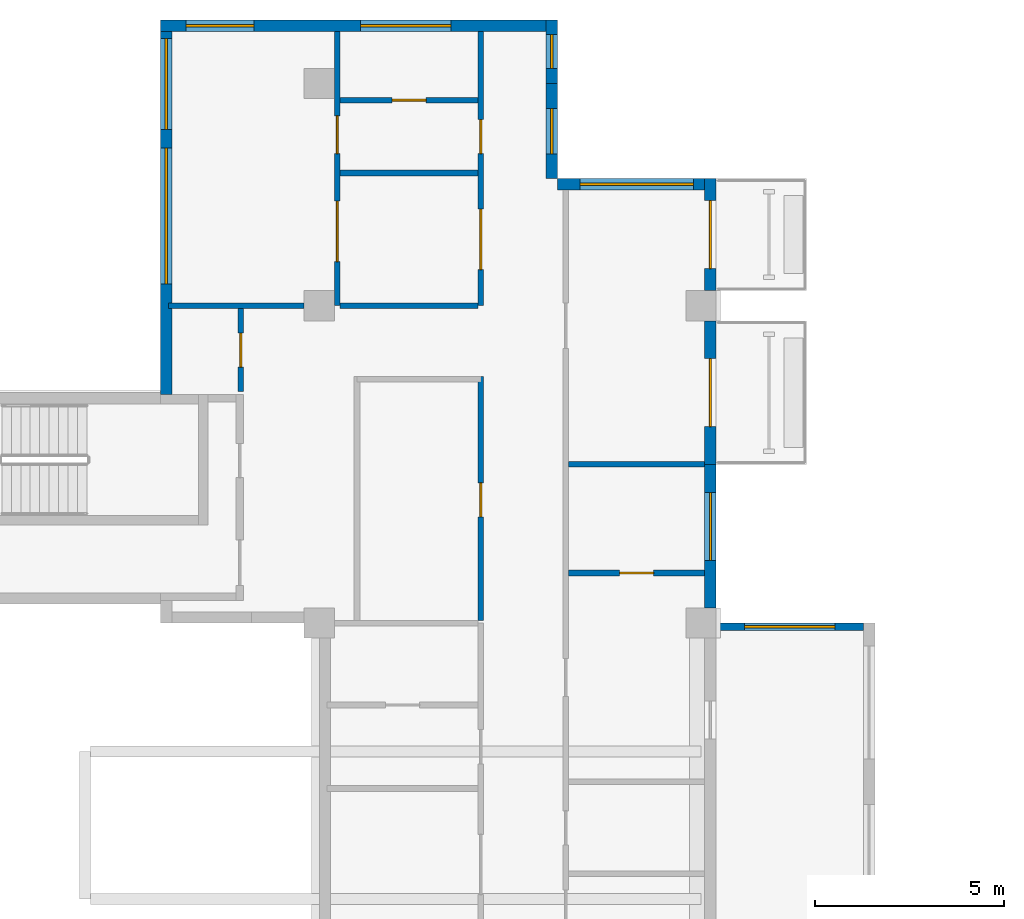
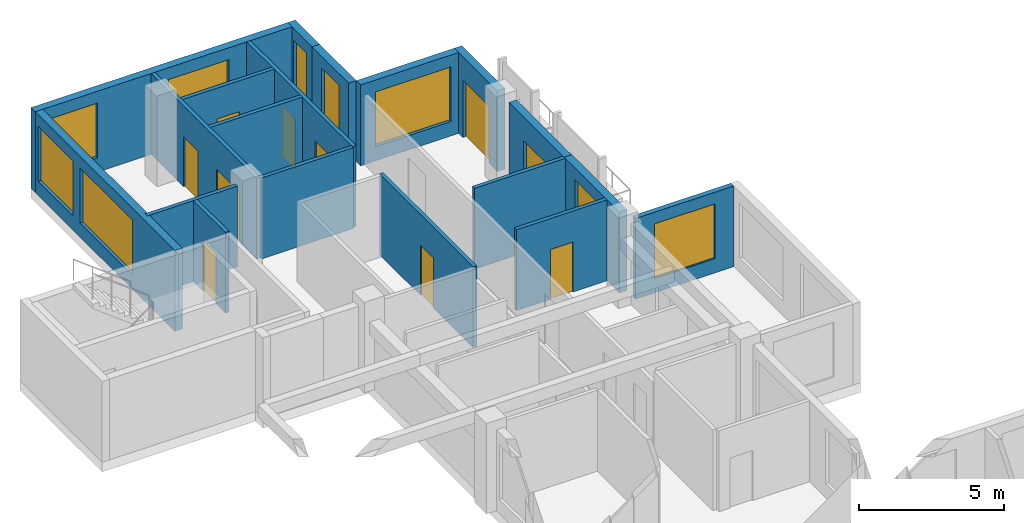
# One storey, part 7 of 12: 19 walls, 10 doors, 9 windows, 19 openings.
"""IFC4 building model written with IfcOpenShell, lengths in metres."""

from ifc_helpers import new_model, si_unit, direction, frame, frame_2d, origin, place, context, subcontext, project, spatial, rectangle, extrude, source, transform, mapped, material, layer, layer_set, type_object, element, fill, save


model = new_model("IFC4")

# Units and contexts
model_context = context("Model", 3, precision=1e-05, world=origin(), true_north=direction((0.0, 1.0)))
body_context = subcontext(model_context, "Body", "Model", "MODEL_VIEW")
ifc_project = project(units=[si_unit("LENGTHUNIT", "METRE"), si_unit("AREAUNIT", "SQUARE_METRE"), si_unit("VOLUMEUNIT", "CUBIC_METRE"), si_unit("PLANEANGLEUNIT", "RADIAN"), si_unit("MASSUNIT", "GRAM", prefix="KILO")], contexts=[model_context])

# Site, building, storey
site_placement = place(None, origin())
site = spatial("IfcSite", under=ifc_project, at=site_placement, CompositionType="ELEMENT")
building_placement = place(site_placement, origin())
building = spatial("IfcBuilding", under=site, at=building_placement, Name="Aurelian Terraces", CompositionType="ELEMENT")
storey_placement = place(building_placement, frame((0.0, 0.0, 238.6)))
storey = spatial("IfcBuildingStorey", under=building, at=storey_placement, Name="L54", CompositionType="ELEMENT", Elevation=238.6)

# Wall, opening, window
ifc_material_1 = material(Name="Terracotta rainscreen cladding", Category="masonry")
ifc_layer_1 = layer(ifc_material_1, 0.3)
ifc_layer_set_1 = layer_set([ifc_layer_1], Name="EW-300")
wall_type_1 = type_object("IfcWallType", Name="EW-300", PredefinedType="STANDARD", material=ifc_layer_set_1)
wall_1_placement = place(storey_placement, frame((20.85, 38.2, 0.0), z_axis=(0.0, 0.0, 1.0), x_axis=(0.0, 1.0, 0.0)))
wall_1 = element("IfcWall", 1, at=wall_1_placement, inside=storey, type_object=wall_type_1, Name="External wall L54 F08.20", PredefinedType="STANDARD", context=body_context, shape_type="SweptSolid", body=[
    extrude(rectangle(XDim=3.8, YDim=0.3, at=frame_2d((1.9, 0.0))), origin(), (0.0, 0.0, 1.0), 3.4),
])
shared_shape_1 = source(origin(), body_context, "Body", "SweptSolid", [
    extrude(rectangle(XDim=1.8, YDim=2.3, at=frame_2d((0.9, 1.15))), frame((0.0, 0.16, 0.0), z_axis=(0.0, -1.0, 0.0), x_axis=(1.0, 0.0, 0.0)), (0.0, 0.0, 1.0), 0.32),
])
opening_1_placement = place(wall_1_placement, frame((1.25, 0.0, 0.6)))
opening_1 = element("IfcOpeningElement", 2, at=opening_1_placement, cuts=wall_1, Name="Opening W1823", PredefinedType="OPENING", context=body_context, shape_type="MappedRepresentation", body=[
    mapped(shared_shape_1, transform((0.0, 0.0, 0.0), scale=1.0)),
])
ifc_material_2 = material(Name="Clear glazing", Category="glass")
window_type_1 = type_object("IfcWindowType", Name="W-1800x2300", PartitioningType="SINGLE_PANEL", PredefinedType="WINDOW", material=ifc_material_2)
shared_shape_2 = source(origin(), body_context, "Body", "SweptSolid", [
    extrude(rectangle(XDim=1.8, YDim=2.3, at=frame_2d((0.9, 1.15))), frame((0.0, 0.03, 0.0), z_axis=(0.0, -1.0, 0.0), x_axis=(1.0, 0.0, 0.0)), (0.0, 0.0, 1.0), 0.06),
])
window_1_placement = place(opening_1_placement, origin())
window_1 = element("IfcWindow", 3, at=window_1_placement, inside=storey, type_object=window_type_1, Name="Window L54 L54-F08-20-0", OverallHeight=2.3, OverallWidth=1.8, PartitioningType="SINGLE_PANEL", PredefinedType="WINDOW", context=body_context, shape_type="MappedRepresentation", body=[
    mapped(shared_shape_2, transform((0.0, 0.0, 0.0), scale=1.0)),
])
fill(opening_1, window_1)

shared_shape_3 = source(origin(), body_context, "Body", "SweptSolid", [
    extrude(rectangle(XDim=4.2, YDim=0.3, at=frame_2d((2.1, 0.0))), origin(), (0.0, 0.0, 1.0), 3.4),
])
wall_2_placement = place(storey_placement, frame((21.0, 49.41, 0.0), z_axis=(0.0, 0.0, 1.0), x_axis=(-1.0, 0.0, 0.0)))
wall_2 = element("IfcWall", 4, at=wall_2_placement, inside=storey, type_object=wall_type_1, Name="External wall L54 F09.23", PredefinedType="STANDARD", context=body_context, shape_type="MappedRepresentation", body=[
    mapped(shared_shape_3, transform((0.0, 0.0, 0.0), scale=1.0)),
])
shared_shape_4 = source(origin(), body_context, "Body", "SweptSolid", [
    extrude(rectangle(XDim=3.0, YDim=2.3, at=frame_2d((1.5, 1.15))), frame((0.0, 0.16, 0.0), z_axis=(0.0, -1.0, 0.0), x_axis=(1.0, 0.0, 0.0)), (0.0, 0.0, 1.0), 0.32),
])
opening_2_placement = place(wall_2_placement, frame((0.6, 0.0, 0.6)))
opening_2 = element("IfcOpeningElement", 5, at=opening_2_placement, cuts=wall_2, Name="Opening W3023", PredefinedType="OPENING", context=body_context, shape_type="MappedRepresentation", body=[
    mapped(shared_shape_4, transform((0.0, 0.0, 0.0), scale=1.0)),
])
window_type_2 = type_object("IfcWindowType", Name="W-3000x2300", PartitioningType="SINGLE_PANEL", PredefinedType="WINDOW", material=ifc_material_2)
shared_shape_5 = source(origin(), body_context, "Body", "SweptSolid", [
    extrude(rectangle(XDim=3.0, YDim=2.3, at=frame_2d((1.5, 1.15))), frame((0.0, 0.03, 0.0), z_axis=(0.0, -1.0, 0.0), x_axis=(1.0, 0.0, 0.0)), (0.0, 0.0, 1.0), 0.06),
])
window_2_placement = place(opening_2_placement, origin())
window_2 = element("IfcWindow", 6, at=window_2_placement, inside=storey, type_object=window_type_2, Name="Window L54 L54-F09-23-0", OverallHeight=2.3, OverallWidth=3.0, PartitioningType="SINGLE_PANEL", PredefinedType="WINDOW", context=body_context, shape_type="MappedRepresentation", body=[
    mapped(shared_shape_5, transform((0.0, 0.0, 0.0), scale=1.0)),
])
fill(opening_2, window_2)

shared_shape_6 = source(origin(), body_context, "Body", "SweptSolid", [
    extrude(rectangle(XDim=2.52, YDim=0.3, at=frame_2d((1.26, 0.0))), origin(), (0.0, 0.0, 1.0), 3.4),
])
wall_3_placement = place(storey_placement, frame((16.65, 49.56, 0.0), z_axis=(0.0, 0.0, 1.0), x_axis=(0.0, 1.0, 0.0)))
wall_3 = element("IfcWall", 7, at=wall_3_placement, inside=storey, type_object=wall_type_1, Name="External wall L54 F10.24", PredefinedType="STANDARD", context=body_context, shape_type="MappedRepresentation", body=[
    mapped(shared_shape_6, transform((0.0, 0.0, 0.0), scale=1.0)),
])
shared_shape_7 = source(origin(), body_context, "Body", "SweptSolid", [
    extrude(rectangle(XDim=1.2, YDim=2.3, at=frame_2d((0.6, 1.15))), frame((0.0, 0.16, 0.0), z_axis=(0.0, -1.0, 0.0), x_axis=(1.0, 0.0, 0.0)), (0.0, 0.0, 1.0), 0.32),
])
opening_3_placement = place(wall_3_placement, frame((0.66, 0.0, 0.6)))
opening_3 = element("IfcOpeningElement", 8, at=opening_3_placement, cuts=wall_3, Name="Opening W1223", PredefinedType="OPENING", context=body_context, shape_type="MappedRepresentation", body=[
    mapped(shared_shape_7, transform((0.0, 0.0, 0.0), scale=1.0)),
])
window_type_3 = type_object("IfcWindowType", Name="W-1200x2300", PartitioningType="SINGLE_PANEL", PredefinedType="WINDOW", material=ifc_material_2)
shared_shape_8 = source(origin(), body_context, "Body", "SweptSolid", [
    extrude(rectangle(XDim=1.2, YDim=2.3, at=frame_2d((0.6, 1.15))), frame((0.0, 0.03, 0.0), z_axis=(0.0, -1.0, 0.0), x_axis=(1.0, 0.0, 0.0)), (0.0, 0.0, 1.0), 0.06),
])
window_3_placement = place(opening_3_placement, origin())
window_3 = element("IfcWindow", 9, at=window_3_placement, inside=storey, type_object=window_type_3, Name="Window L54 L54-F10-24-0", OverallHeight=2.3, OverallWidth=1.2, PartitioningType="SINGLE_PANEL", PredefinedType="WINDOW", context=body_context, shape_type="MappedRepresentation", body=[
    mapped(shared_shape_8, transform((0.0, 0.0, 0.0), scale=1.0)),
])
fill(opening_3, window_3)

shared_shape_9 = source(origin(), body_context, "Body", "SweptSolid", [
    extrude(rectangle(XDim=1.68, YDim=0.3, at=frame_2d((0.84, 0.0))), origin(), (0.0, 0.0, 1.0), 3.4),
])
wall_4_placement = place(storey_placement, frame((16.65, 52.08, 0.0), z_axis=(0.0, 0.0, 1.0), x_axis=(0.0, 1.0, 0.0)))
wall_4 = element("IfcWall", 10, at=wall_4_placement, inside=storey, type_object=wall_type_1, Name="External wall L54 F10.25", PredefinedType="STANDARD", context=body_context, shape_type="MappedRepresentation", body=[
    mapped(shared_shape_9, transform((0.0, 0.0, 0.0), scale=1.0)),
])
shared_shape_10 = source(origin(), body_context, "Body", "SweptSolid", [
    extrude(rectangle(XDim=0.9, YDim=2.3, at=frame_2d((0.45, 1.15))), frame((0.0, 0.16, 0.0), z_axis=(0.0, -1.0, 0.0), x_axis=(1.0, 0.0, 0.0)), (0.0, 0.0, 1.0), 0.32),
])
opening_4_placement = place(wall_4_placement, frame((0.39, 0.0, 0.6)))
opening_4 = element("IfcOpeningElement", 11, at=opening_4_placement, cuts=wall_4, Name="Opening W0923", PredefinedType="OPENING", context=body_context, shape_type="MappedRepresentation", body=[
    mapped(shared_shape_10, transform((0.0, 0.0, 0.0), scale=1.0)),
])
window_type_4 = type_object("IfcWindowType", Name="W-900x2300", PartitioningType="SINGLE_PANEL", PredefinedType="WINDOW", material=ifc_material_2)
shared_shape_11 = source(origin(), body_context, "Body", "SweptSolid", [
    extrude(rectangle(XDim=0.9, YDim=2.3, at=frame_2d((0.45, 1.15))), frame((0.0, 0.03, 0.0), z_axis=(0.0, -1.0, 0.0), x_axis=(1.0, 0.0, 0.0)), (0.0, 0.0, 1.0), 0.06),
])
window_4_placement = place(opening_4_placement, origin())
window_4 = element("IfcWindow", 12, at=window_4_placement, inside=storey, type_object=window_type_4, Name="Window L54 L54-F10-25-P0", OverallHeight=2.3, OverallWidth=0.9, PartitioningType="SINGLE_PANEL", PredefinedType="WINDOW", context=body_context, shape_type="MappedRepresentation", body=[
    mapped(shared_shape_11, transform((0.0, 0.0, 0.0), scale=1.0)),
])
fill(opening_4, window_4)

ifc_material_3 = material(Name="Concrete fc' 40 MPa", Category="concrete")
ifc_layer_2 = layer(ifc_material_3, 0.2)
ifc_layer_set_2 = layer_set([ifc_layer_2], Name="BOX BEARING WALL 200")
wall_type_2 = type_object("IfcWallType", Name="BOX BEARING WALL 200", PredefinedType="SOLIDWALL", material=ifc_layer_set_2)
shared_shape_12 = source(origin(), body_context, "Body", "SweptSolid", [
    extrude(rectangle(XDim=3.9, YDim=0.2, at=frame_2d((1.95, 0.0))), origin(), (0.0, 0.0, 1.0), 3.39),
])
wall_5_placement = place(storey_placement, frame((21.0, 37.7, 0.0), z_axis=(0.0, 0.0, 1.0), x_axis=(1.0, 0.0, 0.0)))
wall_5 = element("IfcWall", 13, at=wall_5_placement, inside=storey, type_object=wall_type_2, Name="Box return L54 J78.2", PredefinedType="SOLIDWALL", context=body_context, shape_type="MappedRepresentation", body=[
    mapped(shared_shape_12, transform((0.0, 0.0, 0.0), scale=1.0)),
])
shared_shape_13 = source(origin(), body_context, "Body", "SweptSolid", [
    extrude(rectangle(XDim=2.4, YDim=2.3, at=frame_2d((1.2, 1.15))), frame((0.0, 0.11, 0.0), z_axis=(0.0, -1.0, 0.0), x_axis=(1.0, 0.0, 0.0)), (0.0, 0.0, 1.0), 0.22),
])
opening_5_placement = place(wall_5_placement, frame((0.75, 0.0, 0.6)))
opening_5 = element("IfcOpeningElement", 14, at=opening_5_placement, cuts=wall_5, Name="Opening W2423", PredefinedType="OPENING", context=body_context, shape_type="MappedRepresentation", body=[
    mapped(shared_shape_13, transform((0.0, 0.0, 0.0), scale=1.0)),
])
window_type_5 = type_object("IfcWindowType", Name="W-2400x2300", PartitioningType="SINGLE_PANEL", PredefinedType="WINDOW", material=ifc_material_2)
shared_shape_14 = source(origin(), body_context, "Body", "SweptSolid", [
    extrude(rectangle(XDim=2.4, YDim=2.3, at=frame_2d((1.2, 1.15))), frame((0.0, 0.03, 0.0), z_axis=(0.0, -1.0, 0.0), x_axis=(1.0, 0.0, 0.0)), (0.0, 0.0, 1.0), 0.06),
])
window_5_placement = place(opening_5_placement, origin())
window_5 = element("IfcWindow", 15, at=window_5_placement, inside=storey, type_object=window_type_5, Name="Window L54 J78-S2", OverallHeight=2.3, OverallWidth=2.4, PartitioningType="SINGLE_PANEL", PredefinedType="WINDOW", context=body_context, shape_type="MappedRepresentation", body=[
    mapped(shared_shape_14, transform((0.0, 0.0, 0.0), scale=1.0)),
])
fill(opening_5, window_5)

# Wall, openings, windows
shared_shape_15 = source(origin(), body_context, "Body", "SweptSolid", [
    extrude(rectangle(XDim=10.5, YDim=0.3, at=frame_2d((5.25, 0.0))), origin(), (0.0, 0.0, 1.0), 3.4),
])
wall_6_placement = place(storey_placement, frame((16.8, 53.61, 0.0), z_axis=(0.0, 0.0, 1.0), x_axis=(-1.0, 0.0, 0.0)))
wall_6 = element("IfcWall", 16, at=wall_6_placement, inside=storey, type_object=wall_type_1, Name="External wall L54 F11.26", PredefinedType="STANDARD", context=body_context, shape_type="MappedRepresentation", body=[
    mapped(shared_shape_15, transform((0.0, 0.0, 0.0), scale=1.0)),
])
opening_6_placement = place(wall_6_placement, frame((8.025, 0.0, 0.6)))
opening_6 = element("IfcOpeningElement", 17, at=opening_6_placement, cuts=wall_6, Name="Opening W1823", PredefinedType="OPENING", context=body_context, shape_type="MappedRepresentation", body=[
    mapped(shared_shape_1, transform((0.0, 0.0, 0.0), scale=1.0)),
])
shared_shape_16 = source(origin(), body_context, "Body", "SweptSolid", [
    extrude(rectangle(XDim=2.4, YDim=2.3, at=frame_2d((1.2, 1.15))), frame((0.0, 0.16, 0.0), z_axis=(0.0, -1.0, 0.0), x_axis=(1.0, 0.0, 0.0)), (0.0, 0.0, 1.0), 0.32),
])
opening_7_placement = place(wall_6_placement, frame((2.8125, 0.0, 0.6)))
opening_7 = element("IfcOpeningElement", 18, at=opening_7_placement, cuts=wall_6, Name="Opening W2423", PredefinedType="OPENING", context=body_context, shape_type="MappedRepresentation", body=[
    mapped(shared_shape_16, transform((0.0, 0.0, 0.0), scale=1.0)),
])
window_6_placement = place(opening_6_placement, origin())
window_6 = element("IfcWindow", 19, at=window_6_placement, inside=storey, type_object=window_type_1, Name="Window L54 L54-F11-26-2", OverallHeight=2.3, OverallWidth=1.8, PartitioningType="SINGLE_PANEL", PredefinedType="WINDOW", context=body_context, shape_type="MappedRepresentation", body=[
    mapped(shared_shape_2, transform((0.0, 0.0, 0.0), scale=1.0)),
])
fill(opening_6, window_6)
window_7_placement = place(opening_7_placement, origin())
window_7 = element("IfcWindow", 20, at=window_7_placement, inside=storey, type_object=window_type_5, Name="Window L54 L54-F11-26-G0-0", OverallHeight=2.3, OverallWidth=2.4, PartitioningType="SINGLE_PANEL", PredefinedType="WINDOW", context=body_context, shape_type="MappedRepresentation", body=[
    mapped(shared_shape_14, transform((0.0, 0.0, 0.0), scale=1.0)),
])
fill(opening_7, window_7)

shared_shape_17 = source(origin(), body_context, "Body", "SweptSolid", [
    extrude(rectangle(XDim=9.91, YDim=0.3, at=frame_2d((4.955, 0.0))), origin(), (0.0, 0.0, 1.0), 3.4),
])
wall_7_placement = place(storey_placement, frame((6.45, 53.76, 0.0), z_axis=(0.0, 0.0, 1.0), x_axis=(0.0, -1.0, 0.0)))
wall_7 = element("IfcWall", 21, at=wall_7_placement, inside=storey, type_object=wall_type_1, Name="External wall L54 F12.27", PredefinedType="STANDARD", context=body_context, shape_type="MappedRepresentation", body=[
    mapped(shared_shape_17, transform((0.0, 0.0, 0.0), scale=1.0)),
])
shared_shape_18 = source(origin(), body_context, "Body", "SweptSolid", [
    extrude(rectangle(XDim=3.6, YDim=2.3, at=frame_2d((1.8, 1.15))), frame((0.0, 0.16, 0.0), z_axis=(0.0, -1.0, 0.0), x_axis=(1.0, 0.0, 0.0)), (0.0, 0.0, 1.0), 0.32),
])
opening_8_placement = place(wall_7_placement, frame((3.39, 0.0, 0.6)))
opening_8 = element("IfcOpeningElement", 22, at=opening_8_placement, cuts=wall_7, Name="Opening W3623", PredefinedType="OPENING", context=body_context, shape_type="MappedRepresentation", body=[
    mapped(shared_shape_18, transform((0.0, 0.0, 0.0), scale=1.0)),
])
opening_9_placement = place(wall_7_placement, frame((0.495, 0.0, 0.6)))
opening_9 = element("IfcOpeningElement", 23, at=opening_9_placement, cuts=wall_7, Name="Opening W2423", PredefinedType="OPENING", context=body_context, shape_type="MappedRepresentation", body=[
    mapped(shared_shape_16, transform((0.0, 0.0, 0.0), scale=1.0)),
])
window_type_6 = type_object("IfcWindowType", Name="W-3600x2300", PartitioningType="SINGLE_PANEL", PredefinedType="WINDOW", material=ifc_material_2)
shared_shape_19 = source(origin(), body_context, "Body", "SweptSolid", [
    extrude(rectangle(XDim=3.6, YDim=2.3, at=frame_2d((1.8, 1.15))), frame((0.0, 0.03, 0.0), z_axis=(0.0, -1.0, 0.0), x_axis=(1.0, 0.0, 0.0)), (0.0, 0.0, 1.0), 0.06),
])
window_8_placement = place(opening_8_placement, origin())
window_8 = element("IfcWindow", 24, at=window_8_placement, inside=storey, type_object=window_type_6, Name="Window L54 L54-F12-27-1", OverallHeight=2.3, OverallWidth=3.6, PartitioningType="SINGLE_PANEL", PredefinedType="WINDOW", context=body_context, shape_type="MappedRepresentation", body=[
    mapped(shared_shape_19, transform((0.0, 0.0, 0.0), scale=1.0)),
])
fill(opening_8, window_8)
window_9_placement = place(opening_9_placement, origin())
window_9 = element("IfcWindow", 25, at=window_9_placement, inside=storey, type_object=window_type_5, Name="Window L54 L54-F12-27-G0-0", OverallHeight=2.3, OverallWidth=2.4, PartitioningType="SINGLE_PANEL", PredefinedType="WINDOW", context=body_context, shape_type="MappedRepresentation", body=[
    mapped(shared_shape_14, transform((0.0, 0.0, 0.0), scale=1.0)),
])
fill(opening_9, window_9)

# Wall, opening, door
shared_shape_20 = source(origin(), body_context, "Body", "SweptSolid", [
    extrude(rectangle(XDim=2.96, YDim=0.3, at=frame_2d((1.48, 0.0))), origin(), (0.0, 0.0, 1.0), 3.4),
])
wall_8_placement = place(storey_placement, frame((20.85, 46.6, 0.0), z_axis=(0.0, 0.0, 1.0), x_axis=(0.0, 1.0, 0.0)))
wall_8 = element("IfcWall", 26, at=wall_8_placement, inside=storey, type_object=wall_type_1, Name="External wall L54 F08.22", PredefinedType="STANDARD", context=body_context, shape_type="MappedRepresentation", body=[
    mapped(shared_shape_20, transform((0.0, 0.0, 0.0), scale=1.0)),
])
shared_shape_21 = source(origin(), body_context, "Body", "SweptSolid", [
    extrude(rectangle(XDim=1.8, YDim=2.4, at=frame_2d((0.9, 1.2))), frame((0.0, 0.16, 0.0), z_axis=(0.0, -1.0, 0.0), x_axis=(1.0, 0.0, 0.0)), (0.0, 0.0, 1.0), 0.32),
])
opening_10_placement = place(wall_8_placement, frame((0.58, 0.0, 0.0)))
opening_10 = element("IfcOpeningElement", 27, at=opening_10_placement, cuts=wall_8, Name="Opening 85404", PredefinedType="OPENING", context=body_context, shape_type="MappedRepresentation", body=[
    mapped(shared_shape_21, transform((0.0, 0.0, 0.0), scale=1.0)),
])
door_type_1 = type_object("IfcDoorType", Name="BD-1800x2400", OperationType="SLIDING_TO_LEFT", PredefinedType="DOOR", material=ifc_material_2)
shared_shape_22 = source(origin(), body_context, "Body", "SweptSolid", [
    extrude(rectangle(XDim=1.8, YDim=2.4, at=frame_2d((0.9, 1.2))), frame((0.0, 0.025, 0.0), z_axis=(0.0, -1.0, 0.0), x_axis=(1.0, 0.0, 0.0)), (0.0, 0.0, 1.0), 0.05),
])
door_1_placement = place(opening_10_placement, origin())
door_1 = element("IfcDoor", 28, at=door_1_placement, inside=storey, type_object=door_type_1, Name="Balcony door L54 F08.22", OperationType="SLIDING_TO_LEFT", OverallHeight=2.4, OverallWidth=1.8, PredefinedType="DOOR", context=body_context, shape_type="MappedRepresentation", body=[
    mapped(shared_shape_22, transform((0.0, 0.0, 0.0), scale=1.0)),
])
fill(opening_10, door_1)

shared_shape_23 = source(origin(), body_context, "Body", "SweptSolid", [
    extrude(rectangle(XDim=3.8, YDim=0.3, at=frame_2d((1.9, 0.0))), origin(), (0.0, 0.0, 1.0), 3.4),
])
wall_9_placement = place(storey_placement, frame((20.85, 42.0, 0.0), z_axis=(0.0, 0.0, 1.0), x_axis=(0.0, 1.0, 0.0)))
wall_9 = element("IfcWall", 29, at=wall_9_placement, inside=storey, type_object=wall_type_1, Name="External wall L54 F08.21", PredefinedType="STANDARD", context=body_context, shape_type="MappedRepresentation", body=[
    mapped(shared_shape_23, transform((0.0, 0.0, 0.0), scale=1.0)),
])
opening_11_placement = place(wall_9_placement, frame((1.0, 0.0, 0.0)))
opening_11 = element("IfcOpeningElement", 30, at=opening_11_placement, cuts=wall_9, Name="Opening 85403", PredefinedType="OPENING", context=body_context, shape_type="MappedRepresentation", body=[
    mapped(shared_shape_21, transform((0.0, 0.0, 0.0), scale=1.0)),
])
door_2_placement = place(opening_11_placement, origin())
door_2 = element("IfcDoor", 31, at=door_2_placement, inside=storey, type_object=door_type_1, Name="Balcony door L54 F08.21", OperationType="SLIDING_TO_LEFT", OverallHeight=2.4, OverallWidth=1.8, PredefinedType="DOOR", context=body_context, shape_type="MappedRepresentation", body=[
    mapped(shared_shape_22, transform((0.0, 0.0, 0.0), scale=1.0)),
])
fill(opening_11, door_2)

ifc_material_4 = material(Name="Gypsum board on steel studs", Category="steel")
ifc_layer_3 = layer(ifc_material_4, 0.15)
ifc_layer_set_3 = layer_set([ifc_layer_3], Name="Fire partition 150")
wall_type_3 = type_object("IfcWallType", Name="Fire partition 150", PredefinedType="PARTITIONING", material=ifc_layer_set_3)
shared_shape_24 = source(origin(), body_context, "Body", "SweptSolid", [
    extrude(rectangle(XDim=6.45, YDim=0.15, at=frame_2d((3.225, 0.0))), origin(), (0.0, 0.0, 1.0), 3.4),
])
wall_10_placement = place(storey_placement, frame((14.775, 37.875, 0.0), z_axis=(0.0, 0.0, 1.0), x_axis=(0.0, 1.0, 0.0)))
wall_10 = element("IfcWall", 32, at=wall_10_placement, inside=storey, type_object=wall_type_3, Name="Corridor wall", PredefinedType="PARTITIONING", context=body_context, shape_type="MappedRepresentation", body=[
    mapped(shared_shape_24, transform((0.0, 0.0, 0.0), scale=1.0)),
])
shared_shape_25 = source(origin(), body_context, "Body", "SweptSolid", [
    extrude(rectangle(XDim=0.9, YDim=2.1, at=frame_2d((0.45, 1.05))), frame((0.0, 0.085, 0.0), z_axis=(0.0, -1.0, 0.0), x_axis=(1.0, 0.0, 0.0)), (0.0, 0.0, 1.0), 0.17),
])
opening_12_placement = place(wall_10_placement, frame((2.7375, 0.0, 0.0)))
opening_12 = element("IfcOpeningElement", 33, at=opening_12_placement, cuts=wall_10, Name="Opening 754025", PredefinedType="OPENING", context=body_context, shape_type="MappedRepresentation", body=[
    mapped(shared_shape_25, transform((0.0, 0.0, 0.0), scale=1.0)),
])
ifc_material_5 = material(Name="Timber door leaf", Category="wood")
door_type_2 = type_object("IfcDoorType", Name="Room door 900x2100 right", OperationType="SINGLE_SWING_RIGHT", PredefinedType="DOOR", material=ifc_material_5)
shared_shape_26 = source(origin(), body_context, "Body", "SweptSolid", [
    extrude(rectangle(XDim=0.9, YDim=2.1, at=frame_2d((0.45, 1.05))), frame((0.0, 0.025, 0.0), z_axis=(0.0, -1.0, 0.0), x_axis=(1.0, 0.0, 0.0)), (0.0, 0.0, 1.0), 0.05),
])
door_3_placement = place(opening_12_placement, origin())
door_3 = element("IfcDoor", 34, at=door_3_placement, inside=storey, type_object=door_type_2, Name="Door 754025", OperationType="SINGLE_SWING_RIGHT", OverallHeight=2.1, OverallWidth=0.9, PredefinedType="DOOR", context=body_context, shape_type="MappedRepresentation", body=[
    mapped(shared_shape_26, transform((0.0, 0.0, 0.0), scale=1.0)),
])
fill(opening_12, door_3)

ifc_layer_4 = layer(ifc_material_4, 0.15)
ifc_layer_set_4 = layer_set([ifc_layer_4], Name="Partition 150")
wall_type_4 = type_object("IfcWallType", Name="Partition 150", PredefinedType="PARTITIONING", material=ifc_layer_set_4)
shared_shape_27 = source(origin(), body_context, "Body", "SweptSolid", [
    extrude(rectangle(XDim=3.6, YDim=0.15, at=frame_2d((1.8, 0.0))), origin(), (0.0, 0.0, 1.0), 3.4),
])
wall_11_placement = place(storey_placement, frame((17.1, 39.125, 0.0), z_axis=(0.0, 0.0, 1.0), x_axis=(1.0, 0.0, 0.0)))
wall_11 = element("IfcWall", 35, at=wall_11_placement, inside=storey, type_object=wall_type_4, Name="Partition", PredefinedType="PARTITIONING", context=body_context, shape_type="MappedRepresentation", body=[
    mapped(shared_shape_27, transform((0.0, 0.0, 0.0), scale=1.0)),
])
opening_13_placement = place(wall_11_placement, frame((1.35, 0.0, 0.0)))
opening_13 = element("IfcOpeningElement", 36, at=opening_13_placement, cuts=wall_11, Name="Opening 754036", PredefinedType="OPENING", context=body_context, shape_type="MappedRepresentation", body=[
    mapped(shared_shape_25, transform((0.0, 0.0, 0.0), scale=1.0)),
])
door_4_placement = place(opening_13_placement, origin())
door_4 = element("IfcDoor", 37, at=door_4_placement, inside=storey, type_object=door_type_2, Name="Door 754036", OperationType="SINGLE_SWING_RIGHT", OverallHeight=2.1, OverallWidth=0.9, PredefinedType="DOOR", context=body_context, shape_type="MappedRepresentation", body=[
    mapped(shared_shape_26, transform((0.0, 0.0, 0.0), scale=1.0)),
])
fill(opening_13, door_4)

# Wall
wall_12_placement = place(storey_placement, frame((20.7, 42.0, 0.0), z_axis=(0.0, 0.0, 1.0), x_axis=(-1.0, 0.0, 0.0)))
element("IfcWall", 38, at=wall_12_placement, inside=storey, type_object=wall_type_3, Name="Party wall", PredefinedType="PARTITIONING", context=body_context, shape_type="MappedRepresentation", body=[
    mapped(shared_shape_27, transform((0.0, 0.0, 0.0), scale=1.0)),
])

# Wall, opening, door
shared_shape_28 = source(origin(), body_context, "Body", "SweptSolid", [
    extrude(rectangle(XDim=2.2, YDim=0.15, at=frame_2d((1.1, 0.0))), origin(), (0.0, 0.0, 1.0), 3.4),
])
wall_13_placement = place(storey_placement, frame((8.425, 43.925, 0.0), z_axis=(0.0, 0.0, 1.0), x_axis=(0.0, 1.0, 0.0)))
wall_13 = element("IfcWall", 39, at=wall_13_placement, inside=storey, type_object=wall_type_4, Name="Partition", PredefinedType="PARTITIONING", context=body_context, shape_type="MappedRepresentation", body=[
    mapped(shared_shape_28, transform((0.0, 0.0, 0.0), scale=1.0)),
])
opening_14_placement = place(wall_13_placement, frame((0.65, 0.0, 0.0)))
opening_14 = element("IfcOpeningElement", 40, at=opening_14_placement, cuts=wall_13, Name="Opening 754026", PredefinedType="OPENING", context=body_context, shape_type="MappedRepresentation", body=[
    mapped(shared_shape_25, transform((0.0, 0.0, 0.0), scale=1.0)),
])
door_5_placement = place(opening_14_placement, origin())
door_5 = element("IfcDoor", 41, at=door_5_placement, inside=storey, type_object=door_type_2, Name="Door 754026", OperationType="SINGLE_SWING_RIGHT", OverallHeight=2.1, OverallWidth=0.9, PredefinedType="DOOR", context=body_context, shape_type="MappedRepresentation", body=[
    mapped(shared_shape_26, transform((0.0, 0.0, 0.0), scale=1.0)),
])
fill(opening_14, door_5)

# Wall, openings, doors
shared_shape_29 = source(origin(), body_context, "Body", "SweptSolid", [
    extrude(rectangle(XDim=7.26, YDim=0.15, at=frame_2d((3.63, 0.0))), origin(), (0.0, 0.0, 1.0), 3.4),
])
wall_14_placement = place(storey_placement, frame((10.975, 46.2, 0.0), z_axis=(0.0, 0.0, 1.0), x_axis=(0.0, 1.0, 0.0)))
wall_14 = element("IfcWall", 42, at=wall_14_placement, inside=storey, type_object=wall_type_4, Name="Partition", PredefinedType="PARTITIONING", context=body_context, shape_type="MappedRepresentation", body=[
    mapped(shared_shape_29, transform((0.0, 0.0, 0.0), scale=1.0)),
])
shared_shape_30 = source(origin(), body_context, "Body", "SweptSolid", [
    extrude(rectangle(XDim=1.6, YDim=2.1, at=frame_2d((0.8, 1.05))), frame((0.0, 0.085, 0.0), z_axis=(0.0, -1.0, 0.0), x_axis=(1.0, 0.0, 0.0)), (0.0, 0.0, 1.0), 0.17),
])
opening_15_placement = place(wall_14_placement, frame((1.1689, 0.0, 0.0)))
opening_15 = element("IfcOpeningElement", 43, at=opening_15_placement, cuts=wall_14, Name="Opening 754030", PredefinedType="OPENING", context=body_context, shape_type="MappedRepresentation", body=[
    mapped(shared_shape_30, transform((0.0, 0.0, 0.0), scale=1.0)),
])
shared_shape_31 = source(origin(), body_context, "Body", "SweptSolid", [
    extrude(rectangle(XDim=1.0, YDim=2.1, at=frame_2d((0.5, 1.05))), frame((0.0, 0.085, 0.0), z_axis=(0.0, -1.0, 0.0), x_axis=(1.0, 0.0, 0.0)), (0.0, 0.0, 1.0), 0.17),
])
opening_16_placement = place(wall_14_placement, frame((4.0254, 0.0, 0.0)))
opening_16 = element("IfcOpeningElement", 44, at=opening_16_placement, cuts=wall_14, Name="Opening 754031", PredefinedType="OPENING", context=body_context, shape_type="MappedRepresentation", body=[
    mapped(shared_shape_31, transform((0.0, 0.0, 0.0), scale=1.0)),
])
door_type_3 = type_object("IfcDoorType", Name="Room door 1000x2100 left", OperationType="SINGLE_SWING_LEFT", PredefinedType="DOOR", material=ifc_material_5)
shared_shape_32 = source(origin(), body_context, "Body", "SweptSolid", [
    extrude(rectangle(XDim=1.0, YDim=2.1, at=frame_2d((0.5, 1.05))), frame((0.0, 0.025, 0.0), z_axis=(0.0, -1.0, 0.0), x_axis=(1.0, 0.0, 0.0)), (0.0, 0.0, 1.0), 0.05),
])
door_6_placement = place(opening_16_placement, origin())
door_6 = element("IfcDoor", 45, at=door_6_placement, inside=storey, type_object=door_type_3, Name="Door 754031", OperationType="SINGLE_SWING_LEFT", OverallHeight=2.1, OverallWidth=1.0, PredefinedType="DOOR", context=body_context, shape_type="MappedRepresentation", body=[
    mapped(shared_shape_32, transform((0.0, 0.0, 0.0), scale=1.0)),
])
fill(opening_16, door_6)
door_type_4 = type_object("IfcDoorType", Name="Room door 1600x2100 right", OperationType="SINGLE_SWING_RIGHT", PredefinedType="DOOR", material=ifc_material_5)
shared_shape_33 = source(origin(), body_context, "Body", "SweptSolid", [
    extrude(rectangle(XDim=1.6, YDim=2.1, at=frame_2d((0.8, 1.05))), frame((0.0, 0.025, 0.0), z_axis=(0.0, -1.0, 0.0), x_axis=(1.0, 0.0, 0.0)), (0.0, 0.0, 1.0), 0.05),
])
door_7_placement = place(opening_15_placement, origin())
door_7 = element("IfcDoor", 46, at=door_7_placement, inside=storey, type_object=door_type_4, Name="Door 754030", OperationType="SINGLE_SWING_RIGHT", OverallHeight=2.1, OverallWidth=1.6, PredefinedType="DOOR", context=body_context, shape_type="MappedRepresentation", body=[
    mapped(shared_shape_33, transform((0.0, 0.0, 0.0), scale=1.0)),
])
fill(opening_15, door_7)

wall_15_placement = place(storey_placement, frame((14.775, 46.2, 0.0), z_axis=(0.0, 0.0, 1.0), x_axis=(0.0, 1.0, 0.0)))
wall_15 = element("IfcWall", 47, at=wall_15_placement, inside=storey, type_object=wall_type_3, Name="Corridor wall", PredefinedType="PARTITIONING", context=body_context, shape_type="MappedRepresentation", body=[
    mapped(shared_shape_29, transform((0.0, 0.0, 0.0), scale=1.0)),
])
opening_17_placement = place(wall_15_placement, frame((0.9564, 0.0, 0.0)))
opening_17 = element("IfcOpeningElement", 48, at=opening_17_placement, cuts=wall_15, Name="Opening 754029", PredefinedType="OPENING", context=body_context, shape_type="MappedRepresentation", body=[
    mapped(shared_shape_30, transform((0.0, 0.0, 0.0), scale=1.0)),
])
opening_18_placement = place(wall_15_placement, frame((4.0254, 0.0, 0.0)))
opening_18 = element("IfcOpeningElement", 49, at=opening_18_placement, cuts=wall_15, Name="Opening 754032", PredefinedType="OPENING", context=body_context, shape_type="MappedRepresentation", body=[
    mapped(shared_shape_25, transform((0.0, 0.0, 0.0), scale=1.0)),
])
ifc_material_6 = material(Name="Steel door leaf", Category="steel")
door_type_5 = type_object("IfcDoorType", Name="Entrance fire door 900x2100 left", OperationType="SINGLE_SWING_LEFT", PredefinedType="DOOR", material=ifc_material_6)
door_8_placement = place(opening_18_placement, origin())
door_8 = element("IfcDoor", 50, at=door_8_placement, inside=storey, type_object=door_type_5, Name="Door 754032", OperationType="SINGLE_SWING_LEFT", OverallHeight=2.1, OverallWidth=0.9, PredefinedType="DOOR", context=body_context, shape_type="MappedRepresentation", body=[
    mapped(shared_shape_26, transform((0.0, 0.0, 0.0), scale=1.0)),
])
fill(opening_18, door_8)
door_type_6 = type_object("IfcDoorType", Name="Entrance fire door 1600x2100 left", OperationType="SINGLE_SWING_LEFT", PredefinedType="DOOR", material=ifc_material_6)
door_9_placement = place(opening_17_placement, origin())
door_9 = element("IfcDoor", 51, at=door_9_placement, inside=storey, type_object=door_type_6, Name="Door 754029", OperationType="SINGLE_SWING_LEFT", OverallHeight=2.1, OverallWidth=1.6, PredefinedType="DOOR", context=body_context, shape_type="MappedRepresentation", body=[
    mapped(shared_shape_33, transform((0.0, 0.0, 0.0), scale=1.0)),
])
fill(opening_17, door_9)

# Walls
shared_shape_34 = source(origin(), body_context, "Body", "SweptSolid", [
    extrude(rectangle(XDim=3.596, YDim=0.15, at=frame_2d((1.798, 0.0))), origin(), (0.0, 0.0, 1.0), 3.4),
])
wall_16_placement = place(storey_placement, frame((10.101, 46.2, 0.0), z_axis=(0.0, 0.0, 1.0), x_axis=(-1.0, 0.0, 0.0)))
element("IfcWall", 52, at=wall_16_placement, inside=storey, type_object=wall_type_3, Name="Party wall", PredefinedType="PARTITIONING", context=body_context, shape_type="MappedRepresentation", body=[
    mapped(shared_shape_34, transform((0.0, 0.0, 0.0), scale=1.0)),
])
shared_shape_35 = source(origin(), body_context, "Body", "SweptSolid", [
    extrude(rectangle(XDim=3.65, YDim=0.15, at=frame_2d((1.825, 0.0))), origin(), (0.0, 0.0, 1.0), 3.4),
])
wall_17_placement = place(storey_placement, frame((14.7, 49.7128, 0.0), z_axis=(0.0, 0.0, 1.0), x_axis=(-1.0, 0.0, 0.0)))
element("IfcWall", 53, at=wall_17_placement, inside=storey, type_object=wall_type_4, Name="Partition", PredefinedType="PARTITIONING", context=body_context, shape_type="MappedRepresentation", body=[
    mapped(shared_shape_35, transform((0.0, 0.0, 0.0), scale=1.0)),
])

# Wall, opening, door
wall_18_placement = place(storey_placement, frame((14.7, 51.638, 0.0), z_axis=(0.0, 0.0, 1.0), x_axis=(-1.0, 0.0, 0.0)))
wall_18 = element("IfcWall", 54, at=wall_18_placement, inside=storey, type_object=wall_type_4, Name="Partition", PredefinedType="PARTITIONING", context=body_context, shape_type="MappedRepresentation", body=[
    mapped(shared_shape_35, transform((0.0, 0.0, 0.0), scale=1.0)),
])
opening_19_placement = place(wall_18_placement, frame((1.375, 0.0, 0.0)))
opening_19 = element("IfcOpeningElement", 55, at=opening_19_placement, cuts=wall_18, Name="Opening 754040", PredefinedType="OPENING", context=body_context, shape_type="MappedRepresentation", body=[
    mapped(shared_shape_25, transform((0.0, 0.0, 0.0), scale=1.0)),
])
door_type_7 = type_object("IfcDoorType", Name="Room door 900x2100 left", OperationType="SINGLE_SWING_LEFT", PredefinedType="DOOR", material=ifc_material_5)
door_10_placement = place(opening_19_placement, origin())
door_10 = element("IfcDoor", 56, at=door_10_placement, inside=storey, type_object=door_type_7, Name="Door 754040", OperationType="SINGLE_SWING_LEFT", OverallHeight=2.1, OverallWidth=0.9, PredefinedType="DOOR", context=body_context, shape_type="MappedRepresentation", body=[
    mapped(shared_shape_26, transform((0.0, 0.0, 0.0), scale=1.0)),
])
fill(opening_19, door_10)

# Wall
wall_19_placement = place(storey_placement, frame((14.7, 46.2, 0.0), z_axis=(0.0, 0.0, 1.0), x_axis=(-1.0, 0.0, 0.0)))
element("IfcWall", 57, at=wall_19_placement, inside=storey, type_object=wall_type_3, Name="Party wall", PredefinedType="PARTITIONING", context=body_context, shape_type="MappedRepresentation", body=[
    mapped(shared_shape_35, transform((0.0, 0.0, 0.0), scale=1.0)),
])

save(model, "model.ifc")
